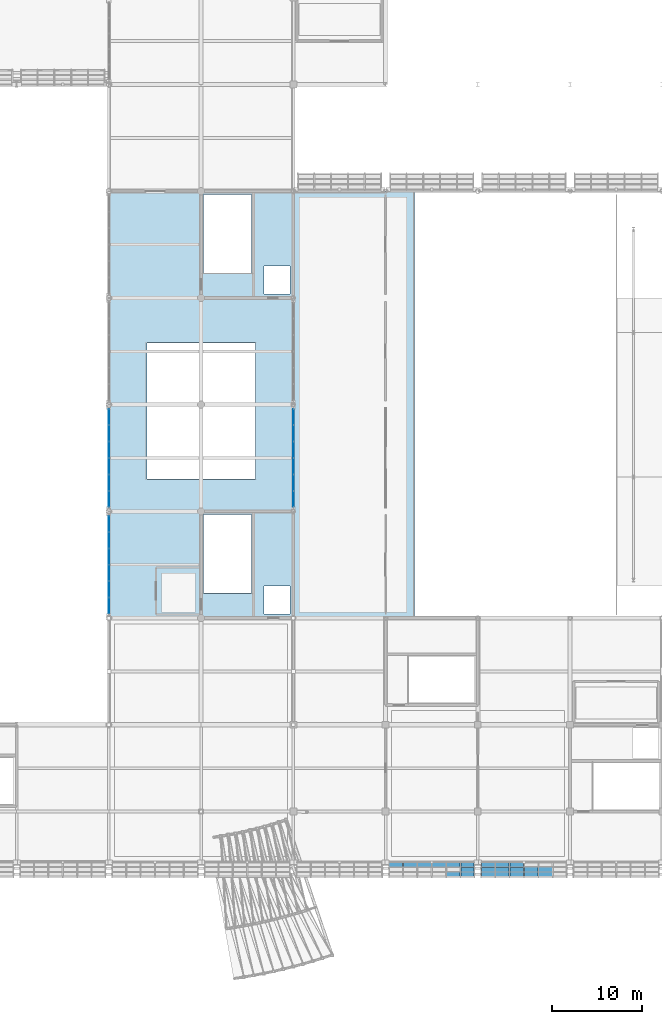
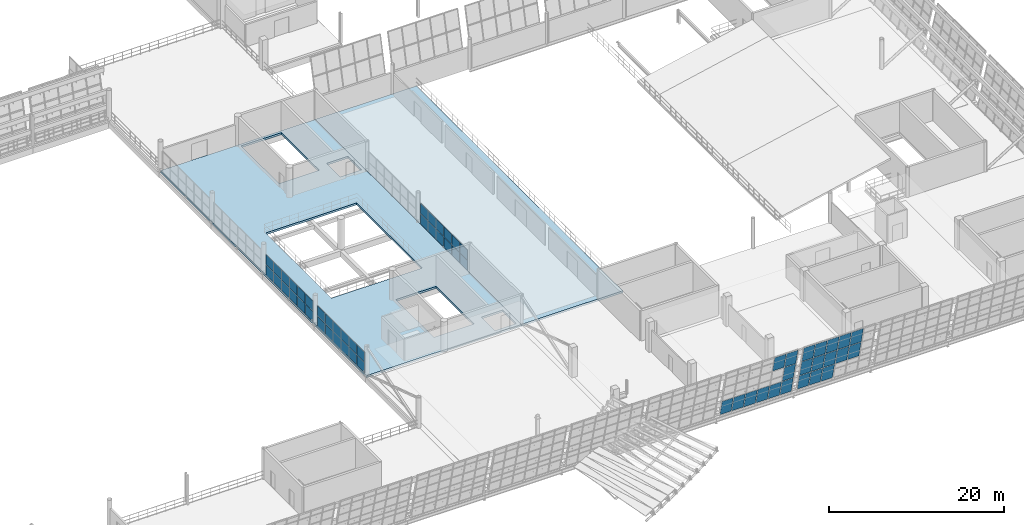
# One storey, part 112 of 157: 58 plates, 2 slabs, 5 elements without a shape of their own.
"""IFC4 building model written with IfcOpenShell, lengths in metres."""

import ifcopenshell
import ifcopenshell.guid

model = None  # the IFC model being written
_history = None  # IfcOwnerHistory: only IFC2X3 demands one
_inside = {}  # id of a spatial element -> (the spatial element, [elements in it])
_under = {}  # id of a project, library or spatial element -> (it, [spatial elements below it])
_declared = {}  # id of a project -> (the project, [libraries it declares])
_typed = {}  # id of a type object -> (the type object, [elements of that type])
_made_of = {}  # id of a material, layer set ... -> (it, [elements and type objects made of it])


def new_model(schema):
    """Start an empty IFC model of exactly this schema.

    Asked for "IFC4X3", IfcOpenShell would pick the latest addendum, in which some entities
    have other attributes; the version numbers below select the first issue.
    IFC2X3 requires an IfcOwnerHistory on every rooted entity: one is made here for all.
    """
    global model, _history
    if schema == "IFC4X3":
        model = ifcopenshell.file(schema_version=(4, 3, 0, 0))
    else:
        model = ifcopenshell.file(schema=schema)
    _inside.clear()
    _under.clear()
    _declared.clear()
    _typed.clear()
    _made_of.clear()
    _history = None
    if model.schema == "IFC2X3":
        org = make("IfcOrganization", Name="unknown")
        user = make(
            "IfcPersonAndOrganization",
            ThePerson=make("IfcPerson", FamilyName="unknown"),
            TheOrganization=org,
        )
        app = make(
            "IfcApplication",
            ApplicationDeveloper=org,
            Version="unknown",
            ApplicationFullName="unknown",
            ApplicationIdentifier="unknown",
        )
        _history = make(
            "IfcOwnerHistory",
            OwningUser=user,
            OwningApplication=app,
            ChangeAction="ADDED",
            CreationDate=0,
        )
    return model


def make(cls, **values):
    """One entity of the class cls with the attributes given. An attribute that is None is left unset."""
    return model.create_entity(
        cls, **{name: value for name, value in values.items() if value is not None}
    )


def rooted(cls, **values):
    """An entity with a GlobalId (a new one), such as an element, a storey or a relation."""
    return make(cls, GlobalId=ifcopenshell.guid.new(), OwnerHistory=_history, **values)


def si_unit(unit_type, name, prefix=None):
    """IfcSIUnit, for example si_unit("LENGTHUNIT", "METRE", prefix="MILLI")."""
    return make("IfcSIUnit", UnitType=unit_type, Prefix=prefix, Name=name)


def assignment(units):
    """IfcUnitAssignment: the units of a project."""
    return None if units is None else make("IfcUnitAssignment", Units=units)


def point(xyz):
    """IfcCartesianPoint."""
    return None if xyz is None else make("IfcCartesianPoint", Coordinates=xyz)


def direction(xyz):
    """IfcDirection."""
    return None if xyz is None else make("IfcDirection", DirectionRatios=xyz)


def frame(location, z_axis=None, x_axis=None):
    """IfcAxis2Placement3D, a coordinate frame: its origin and axes. An axis left out is left unset."""
    return make(
        "IfcAxis2Placement3D",
        Location=point(location),
        Axis=direction(z_axis),
        RefDirection=direction(x_axis),
    )


def frame_2d(location, x_axis=None):
    """IfcAxis2Placement2D, a coordinate frame in the plane: its origin and x axis."""
    return make(
        "IfcAxis2Placement2D", Location=point(location), RefDirection=direction(x_axis)
    )


def origin():
    """The frame at (0, 0, 0) with its axes left unset."""
    return frame((0.0, 0.0, 0.0))


def origin_2d():
    """The frame at (0, 0) in the plane with its x axis left unset."""
    return frame_2d((0.0, 0.0))


def place(relative_to, where):
    """IfcLocalPlacement: puts the frame where relative to a parent placement (None: the world)."""
    return make(
        "IfcLocalPlacement", PlacementRelTo=relative_to, RelativePlacement=where
    )


def context(
    kind, dimensions, precision=None, world=None, true_north=None, identifier=None
):
    """IfcGeometricRepresentationContext, for example the 3D "Model" context."""
    return make(
        "IfcGeometricRepresentationContext",
        ContextIdentifier=identifier,
        ContextType=kind,
        CoordinateSpaceDimension=dimensions,
        Precision=precision,
        WorldCoordinateSystem=world,
        TrueNorth=true_north,
    )


def subcontext(parent, identifier, kind, view, scale=None):
    """IfcGeometricRepresentationSubContext, for example "Body" below "Model"."""
    return make(
        "IfcGeometricRepresentationSubContext",
        ContextIdentifier=identifier,
        ContextType=kind,
        ParentContext=parent,
        TargetScale=scale,
        TargetView=view,
    )


def project(units=None, contexts=None):
    """IfcProject with its units and contexts."""
    return rooted(
        "IfcProject",
        Name="project",
        RepresentationContexts=contexts,
        UnitsInContext=assignment(units),
    )


def spatial(cls, under=None, at=None, **own):
    """A site, building, storey or space (cls), placed at a placement, below another one or the project."""
    s = rooted(cls, ObjectPlacement=at, **own)
    if under is not None:
        _under.setdefault(under.id(), (under, []))[1].append(s)
    return s


def polyline(points):
    """IfcPolyline through the points."""
    return make("IfcPolyline", Points=[point(p) for p in points])


def profile(cls, at=None, kind="AREA", **sizes):
    """A parametric profile (cls). Its sizes go by their IFC names, for example OverallWidth=200.0."""
    return make(cls, ProfileType=kind, Position=at, **sizes)


def rectangle(**sizes):
    """IfcRectangleProfileDef."""
    return profile("IfcRectangleProfileDef", **sizes)


def outline(outer, holes=None, kind="AREA"):
    """IfcArbitraryClosedProfileDef: a profile drawn as a closed curve; with holes, ...WithVoids."""
    if holes is None:
        return make("IfcArbitraryClosedProfileDef", ProfileType=kind, OuterCurve=outer)
    return make(
        "IfcArbitraryProfileDefWithVoids",
        ProfileType=kind,
        OuterCurve=outer,
        InnerCurves=holes,
    )


def extrude(swept, where, along, depth):
    """IfcExtrudedAreaSolid: the profile swept, set in the frame where, extruded along a direction by depth."""
    return make(
        "IfcExtrudedAreaSolid",
        SweptArea=swept,
        Position=where,
        ExtrudedDirection=direction(along),
        Depth=depth,
    )


def shape(context_of_items, identifier, shape_type, items):
    """IfcShapeRepresentation: the items that make up one representation, for example the "Body"."""
    return make(
        "IfcShapeRepresentation",
        ContextOfItems=context_of_items,
        RepresentationIdentifier=identifier,
        RepresentationType=shape_type,
        Items=items,
    )


def material(Name=None, Category=None):
    """IfcMaterial."""
    return make("IfcMaterial", Name=Name, Category=Category)


def layer(
    of_material, thickness, ventilated=None, Name=None, Category=None, Priority=None
):
    """IfcMaterialLayer: one layer of a wall or slab, of a material (None: an air gap)."""
    return make(
        "IfcMaterialLayer",
        Material=of_material,
        LayerThickness=thickness,
        IsVentilated=ventilated,
        Name=Name,
        Category=Category,
        Priority=Priority,
    )


def layer_set(layers, Name=None):
    """IfcMaterialLayerSet."""
    return make("IfcMaterialLayerSet", MaterialLayers=layers, LayerSetName=Name)


def made_of(thing, what):
    """Note that an element or type object is made of a material, layer set ...; save() writes the relation."""
    if what is not None:
        _made_of.setdefault(what.id(), (what, []))[1].append(thing)
    return thing


def type_object(cls, material=None, **own):
    """A type object (cls), such as IfcWallType, which elements share."""
    return made_of(rooted(cls, **own), material)


def element(
    cls,
    number,
    at=None,
    inside=None,
    cuts=None,
    type_object=None,
    material=None,
    context=None,
    identifier="Body",
    shape_type=None,
    held_by="IfcProductDefinitionShape",
    body=None,
    shapes=None,
    **own,
):
    """One element of the class cls, such as IfcWall. Its Tag is "e" and its number.

    at: its placement. inside: the storey or other place that contains it. cuts: it is an
    opening in that element (IfcRelVoidsElement). A single representation is given by context,
    identifier, shape_type and body (its items); several are given by shapes. held_by: the class
    of the entity that holds the representations. save() writes the other relations.
    """
    e = rooted(cls, Tag="e%d" % number, ObjectPlacement=at, **own)
    if body is not None:
        shapes = [shape(context, identifier, shape_type, body)]
    if shapes is not None:
        e.Representation = make(held_by, Representations=shapes)
    if inside is not None:
        _inside.setdefault(inside.id(), (inside, []))[1].append(e)
    if cuts is not None:
        rooted(
            "IfcRelVoidsElement", RelatingBuildingElement=cuts, RelatedOpeningElement=e
        )
    if type_object is not None:
        _typed.setdefault(type_object.id(), (type_object, []))[1].append(e)
    return made_of(e, material)


def aggregate(whole, parts):
    """IfcRelAggregates: a whole, such as a stair, and the parts it consists of."""
    return rooted("IfcRelAggregates", RelatingObject=whole, RelatedObjects=parts)


def save(model, path):
    """Write the relations noted so far, then the file.

    IfcRelAggregates (storeys below a building ...), IfcRelContainedInSpatialStructure (elements
    in a storey), IfcRelDefinesByType, IfcRelAssociatesMaterial and IfcRelDeclares: one each for
    every whole, place, type object, material and project.
    """
    for whole, parts in _under.values():
        aggregate(whole, parts)
    for where, things in _inside.values():
        rooted(
            "IfcRelContainedInSpatialStructure",
            RelatedElements=things,
            RelatingStructure=where,
        )
    for kind, things in _typed.values():
        rooted("IfcRelDefinesByType", RelatedObjects=things, RelatingType=kind)
    for what, things in _made_of.values():
        rooted("IfcRelAssociatesMaterial", RelatedObjects=things, RelatingMaterial=what)
    for by, libraries in _declared.values():
        rooted("IfcRelDeclares", RelatingContext=by, RelatedDefinitions=libraries)
    model.write(path)


model = new_model("IFC4")

# Units and contexts
model_context = context("Model", 3, precision=1e-05, world=origin(), true_north=direction((0.0, 1.0)))
body_context = subcontext(model_context, "Body", "Model", "MODEL_VIEW")
ifc_project = project(units=[si_unit("LENGTHUNIT", "METRE"), si_unit("AREAUNIT", "SQUARE_METRE"), si_unit("VOLUMEUNIT", "CUBIC_METRE"), si_unit("PLANEANGLEUNIT", "RADIAN"), si_unit("MASSUNIT", "GRAM", prefix="KILO")], contexts=[model_context])

# Site, building, storey
site_placement = place(None, origin())
site = spatial("IfcSite", under=ifc_project, at=site_placement, CompositionType="ELEMENT")
building_placement = place(site_placement, origin())
building = spatial("IfcBuilding", under=site, at=building_placement, Name="Brelvane Convention Centre", CompositionType="ELEMENT")
storey_placement = place(building_placement, frame((0.0, 0.0, 10.800048828125)))
storey = spatial("IfcBuildingStorey", under=building, at=storey_placement, Name="L02", CompositionType="ELEMENT", Elevation=10.800048828125)

# Curtain wall, plates
ifc_material_1 = material(Name="Anodised Aluminium Alloy 6063-T6", Category="aluminium")
curtain_wall_type_1 = type_object("IfcCurtainWallType", Name="Curtain Wall CW-CONC", PredefinedType="USERDEFINED", material=ifc_material_1)
curtain_wall_1_placement = place(storey_placement, origin())
curtain_wall_1 = element("IfcCurtainWall", 1, at=curtain_wall_1_placement, inside=storey, type_object=curtain_wall_type_1, Name="Curtain Wall CW-CONC L02-GAL-ATRIUM-W-1", ObjectType="UNITISED", PredefinedType="USERDEFINED")
ifc_material_2 = material(Name="Double Glazed Low-E Laminated Unit")
ifc_layer_1 = layer(ifc_material_2, 0.031982421875)
ifc_layer_set_1 = layer_set([ifc_layer_1], Name="Double Glazed Low-E Laminated Unit")
plate_type_1 = type_object("IfcPlateType", Name="Curtain Panel CW-PG1", PredefinedType="CURTAIN_PANEL", material=ifc_layer_set_1)
plate_1_placement = place(storey_placement, frame((142.800048828125, 41.974609375, 0.06005859375), z_axis=(0.0, 0.0, 1.0), x_axis=(0.0, 1.0, 0.0)))
plate_1 = element("IfcPlate", 2, at=plate_1_placement, type_object=plate_type_1, Name="CW-CONC panel 1.1", PredefinedType="CURTAIN_PANEL", context=body_context, shape_type="SweptSolid", body=[
    extrude(rectangle(XDim=1.71923828125, YDim=0.031982421875, at=origin_2d()), origin(), (0.0, 0.0, 1.0), 1.409912109375),
])
plate_2_placement = place(storey_placement, frame((142.800048828125, 41.974609375, 1.52978515625), z_axis=(0.0, 0.0, 1.0), x_axis=(0.0, 1.0, 0.0)))
plate_2 = element("IfcPlate", 3, at=plate_2_placement, type_object=plate_type_1, Name="CW-CONC panel 1.2", PredefinedType="CURTAIN_PANEL", context=body_context, shape_type="SweptSolid", body=[
    extrude(rectangle(XDim=1.71923828125, YDim=0.031982421875, at=origin_2d()), origin(), (0.0, 0.0, 1.0), 1.409912109375),
])
plate_3_placement = place(storey_placement, frame((142.800048828125, 43.77490234375, 0.06005859375), z_axis=(0.0, 0.0, 1.0), x_axis=(0.0, 1.0, 0.0)))
plate_3 = element("IfcPlate", 4, at=plate_3_placement, type_object=plate_type_1, Name="CW-CONC panel 2.1", PredefinedType="CURTAIN_PANEL", context=body_context, shape_type="SweptSolid", body=[
    extrude(rectangle(XDim=1.751708984375, YDim=0.031982421875, at=origin_2d()), origin(), (0.0, 0.0, 1.0), 1.409912109375),
])
plate_4_placement = place(storey_placement, frame((142.800048828125, 43.77490234375, 1.52978515625), z_axis=(0.0, 0.0, 1.0), x_axis=(0.0, 1.0, 0.0)))
plate_4 = element("IfcPlate", 5, at=plate_4_placement, type_object=plate_type_1, Name="CW-CONC panel 2.2", PredefinedType="CURTAIN_PANEL", context=body_context, shape_type="SweptSolid", body=[
    extrude(rectangle(XDim=1.751708984375, YDim=0.031982421875, at=origin_2d()), origin(), (0.0, 0.0, 1.0), 1.409912109375),
])
plate_5_placement = place(storey_placement, frame((142.800048828125, 45.591552734375, 0.06005859375), z_axis=(0.0, 0.0, 1.0), x_axis=(0.0, 1.0, 0.0)))
plate_5 = element("IfcPlate", 6, at=plate_5_placement, type_object=plate_type_1, Name="CW-CONC panel 3.1", PredefinedType="CURTAIN_PANEL", context=body_context, shape_type="SweptSolid", body=[
    extrude(rectangle(XDim=1.751708984375, YDim=0.031982421875, at=origin_2d()), origin(), (0.0, 0.0, 1.0), 1.409912109375),
])
plate_6_placement = place(storey_placement, frame((142.800048828125, 45.591552734375, 1.52978515625), z_axis=(0.0, 0.0, 1.0), x_axis=(0.0, 1.0, 0.0)))
plate_6 = element("IfcPlate", 7, at=plate_6_placement, type_object=plate_type_1, Name="CW-CONC panel 3.2", PredefinedType="CURTAIN_PANEL", context=body_context, shape_type="SweptSolid", body=[
    extrude(rectangle(XDim=1.751708984375, YDim=0.031982421875, at=origin_2d()), origin(), (0.0, 0.0, 1.0), 1.409912109375),
])
plate_7_placement = place(storey_placement, frame((142.800048828125, 47.408447265625, 0.06005859375), z_axis=(0.0, 0.0, 1.0), x_axis=(0.0, 1.0, 0.0)))
plate_7 = element("IfcPlate", 8, at=plate_7_placement, type_object=plate_type_1, Name="CW-CONC panel 4.1", PredefinedType="CURTAIN_PANEL", context=body_context, shape_type="SweptSolid", body=[
    extrude(rectangle(XDim=1.751708984375, YDim=0.031982421875, at=origin_2d()), origin(), (0.0, 0.0, 1.0), 1.409912109375),
])
plate_8_placement = place(storey_placement, frame((142.800048828125, 47.408447265625, 1.52978515625), z_axis=(0.0, 0.0, 1.0), x_axis=(0.0, 1.0, 0.0)))
plate_8 = element("IfcPlate", 9, at=plate_8_placement, type_object=plate_type_1, Name="CW-CONC panel 4.2", PredefinedType="CURTAIN_PANEL", context=body_context, shape_type="SweptSolid", body=[
    extrude(rectangle(XDim=1.751708984375, YDim=0.031982421875, at=origin_2d()), origin(), (0.0, 0.0, 1.0), 1.409912109375),
])
plate_9_placement = place(storey_placement, frame((142.800048828125, 49.22509765625, 0.06005859375), z_axis=(0.0, 0.0, 1.0), x_axis=(0.0, 1.0, 0.0)))
plate_9 = element("IfcPlate", 10, at=plate_9_placement, type_object=plate_type_1, Name="CW-CONC panel 5.1", PredefinedType="CURTAIN_PANEL", context=body_context, shape_type="SweptSolid", body=[
    extrude(rectangle(XDim=1.751708984375, YDim=0.031982421875, at=origin_2d()), origin(), (0.0, 0.0, 1.0), 1.409912109375),
])
plate_10_placement = place(storey_placement, frame((142.800048828125, 49.22509765625, 1.52978515625), z_axis=(0.0, 0.0, 1.0), x_axis=(0.0, 1.0, 0.0)))
plate_10 = element("IfcPlate", 11, at=plate_10_placement, type_object=plate_type_1, Name="CW-CONC panel 5.2", PredefinedType="CURTAIN_PANEL", context=body_context, shape_type="SweptSolid", body=[
    extrude(rectangle(XDim=1.751708984375, YDim=0.031982421875, at=origin_2d()), origin(), (0.0, 0.0, 1.0), 1.409912109375),
])
plate_11_placement = place(storey_placement, frame((142.800048828125, 51.025390625, 0.06005859375), z_axis=(0.0, 0.0, 1.0), x_axis=(0.0, 1.0, 0.0)))
plate_11 = element("IfcPlate", 12, at=plate_11_placement, type_object=plate_type_1, Name="CW-CONC panel 6.1", PredefinedType="CURTAIN_PANEL", context=body_context, shape_type="SweptSolid", body=[
    extrude(rectangle(XDim=1.71923828125, YDim=0.031982421875, at=origin_2d()), origin(), (0.0, 0.0, 1.0), 1.409912109375),
])
plate_12_placement = place(storey_placement, frame((142.800048828125, 51.025390625, 1.52978515625), z_axis=(0.0, 0.0, 1.0), x_axis=(0.0, 1.0, 0.0)))
plate_12 = element("IfcPlate", 13, at=plate_12_placement, type_object=plate_type_1, Name="CW-CONC panel 6.2", PredefinedType="CURTAIN_PANEL", context=body_context, shape_type="SweptSolid", body=[
    extrude(rectangle(XDim=1.71923828125, YDim=0.031982421875, at=origin_2d()), origin(), (0.0, 0.0, 1.0), 1.409912109375),
])
aggregate(curtain_wall_1, [plate_1, plate_2, plate_3, plate_4, plate_5, plate_6, plate_7, plate_8, plate_9, plate_10, plate_11, plate_12])

curtain_wall_2_placement = place(storey_placement, origin())
curtain_wall_2 = element("IfcCurtainWall", 14, at=curtain_wall_2_placement, inside=storey, type_object=curtain_wall_type_1, Name="Curtain Wall CW-CONC L02-GAL-ATRIUM-W-2", ObjectType="UNITISED", PredefinedType="USERDEFINED")
plate_13_placement = place(storey_placement, frame((142.800048828125, 53.774658203125, 0.06005859375), z_axis=(0.0, 0.0, 1.0), x_axis=(0.0, 1.0, 0.0)))
plate_13 = element("IfcPlate", 15, at=plate_13_placement, type_object=plate_type_1, Name="CW-CONC panel 1.1", PredefinedType="CURTAIN_PANEL", context=body_context, shape_type="SweptSolid", body=[
    extrude(rectangle(XDim=1.71923828125, YDim=0.031982421875, at=origin_2d()), origin(), (0.0, 0.0, 1.0), 1.409912109375),
])
plate_14_placement = place(storey_placement, frame((142.800048828125, 53.774658203125, 1.52978515625), z_axis=(0.0, 0.0, 1.0), x_axis=(0.0, 1.0, 0.0)))
plate_14 = element("IfcPlate", 16, at=plate_14_placement, type_object=plate_type_1, Name="CW-CONC panel 1.2", PredefinedType="CURTAIN_PANEL", context=body_context, shape_type="SweptSolid", body=[
    extrude(rectangle(XDim=1.71923828125, YDim=0.031982421875, at=origin_2d()), origin(), (0.0, 0.0, 1.0), 1.409912109375),
])
plate_15_placement = place(storey_placement, frame((142.800048828125, 55.574951171875, 0.06005859375), z_axis=(0.0, 0.0, 1.0), x_axis=(0.0, 1.0, 0.0)))
plate_15 = element("IfcPlate", 17, at=plate_15_placement, type_object=plate_type_1, Name="CW-CONC panel 2.1", PredefinedType="CURTAIN_PANEL", context=body_context, shape_type="SweptSolid", body=[
    extrude(rectangle(XDim=1.751708984375, YDim=0.031982421875, at=origin_2d()), origin(), (0.0, 0.0, 1.0), 1.409912109375),
])
plate_16_placement = place(storey_placement, frame((142.800048828125, 55.574951171875, 1.52978515625), z_axis=(0.0, 0.0, 1.0), x_axis=(0.0, 1.0, 0.0)))
plate_16 = element("IfcPlate", 18, at=plate_16_placement, type_object=plate_type_1, Name="CW-CONC panel 2.2", PredefinedType="CURTAIN_PANEL", context=body_context, shape_type="SweptSolid", body=[
    extrude(rectangle(XDim=1.751708984375, YDim=0.031982421875, at=origin_2d()), origin(), (0.0, 0.0, 1.0), 1.409912109375),
])
plate_17_placement = place(storey_placement, frame((142.800048828125, 57.3916015625, 0.06005859375), z_axis=(0.0, 0.0, 1.0), x_axis=(0.0, 1.0, 0.0)))
plate_17 = element("IfcPlate", 19, at=plate_17_placement, type_object=plate_type_1, Name="CW-CONC panel 3.1", PredefinedType="CURTAIN_PANEL", context=body_context, shape_type="SweptSolid", body=[
    extrude(rectangle(XDim=1.751708984375, YDim=0.031982421875, at=origin_2d()), origin(), (0.0, 0.0, 1.0), 1.409912109375),
])
plate_18_placement = place(storey_placement, frame((142.800048828125, 57.3916015625, 1.52978515625), z_axis=(0.0, 0.0, 1.0), x_axis=(0.0, 1.0, 0.0)))
plate_18 = element("IfcPlate", 20, at=plate_18_placement, type_object=plate_type_1, Name="CW-CONC panel 3.2", PredefinedType="CURTAIN_PANEL", context=body_context, shape_type="SweptSolid", body=[
    extrude(rectangle(XDim=1.751708984375, YDim=0.031982421875, at=origin_2d()), origin(), (0.0, 0.0, 1.0), 1.409912109375),
])
plate_19_placement = place(storey_placement, frame((142.800048828125, 59.208251953125, 0.06005859375), z_axis=(0.0, 0.0, 1.0), x_axis=(0.0, 1.0, 0.0)))
plate_19 = element("IfcPlate", 21, at=plate_19_placement, type_object=plate_type_1, Name="CW-CONC panel 4.1", PredefinedType="CURTAIN_PANEL", context=body_context, shape_type="SweptSolid", body=[
    extrude(rectangle(XDim=1.751708984375, YDim=0.031982421875, at=origin_2d()), origin(), (0.0, 0.0, 1.0), 1.409912109375),
])
plate_20_placement = place(storey_placement, frame((142.800048828125, 59.208251953125, 1.52978515625), z_axis=(0.0, 0.0, 1.0), x_axis=(0.0, 1.0, 0.0)))
plate_20 = element("IfcPlate", 22, at=plate_20_placement, type_object=plate_type_1, Name="CW-CONC panel 4.2", PredefinedType="CURTAIN_PANEL", context=body_context, shape_type="SweptSolid", body=[
    extrude(rectangle(XDim=1.751708984375, YDim=0.031982421875, at=origin_2d()), origin(), (0.0, 0.0, 1.0), 1.409912109375),
])
plate_21_placement = place(storey_placement, frame((142.800048828125, 61.02490234375, 0.06005859375), z_axis=(0.0, 0.0, 1.0), x_axis=(0.0, 1.0, 0.0)))
plate_21 = element("IfcPlate", 23, at=plate_21_placement, type_object=plate_type_1, Name="CW-CONC panel 5.1", PredefinedType="CURTAIN_PANEL", context=body_context, shape_type="SweptSolid", body=[
    extrude(rectangle(XDim=1.751708984375, YDim=0.031982421875, at=origin_2d()), origin(), (0.0, 0.0, 1.0), 1.409912109375),
])
plate_22_placement = place(storey_placement, frame((142.800048828125, 61.02490234375, 1.52978515625), z_axis=(0.0, 0.0, 1.0), x_axis=(0.0, 1.0, 0.0)))
plate_22 = element("IfcPlate", 24, at=plate_22_placement, type_object=plate_type_1, Name="CW-CONC panel 5.2", PredefinedType="CURTAIN_PANEL", context=body_context, shape_type="SweptSolid", body=[
    extrude(rectangle(XDim=1.751708984375, YDim=0.031982421875, at=origin_2d()), origin(), (0.0, 0.0, 1.0), 1.409912109375),
])
plate_23_placement = place(storey_placement, frame((142.800048828125, 62.825439453125, 0.06005859375), z_axis=(0.0, 0.0, 1.0), x_axis=(0.0, 1.0, 0.0)))
plate_23 = element("IfcPlate", 25, at=plate_23_placement, type_object=plate_type_1, Name="CW-CONC panel 6.1", PredefinedType="CURTAIN_PANEL", context=body_context, shape_type="SweptSolid", body=[
    extrude(rectangle(XDim=1.71923828125, YDim=0.031982421875, at=origin_2d()), origin(), (0.0, 0.0, 1.0), 1.409912109375),
])
plate_24_placement = place(storey_placement, frame((142.800048828125, 62.825439453125, 1.52978515625), z_axis=(0.0, 0.0, 1.0), x_axis=(0.0, 1.0, 0.0)))
plate_24 = element("IfcPlate", 26, at=plate_24_placement, type_object=plate_type_1, Name="CW-CONC panel 6.2", PredefinedType="CURTAIN_PANEL", context=body_context, shape_type="SweptSolid", body=[
    extrude(rectangle(XDim=1.71923828125, YDim=0.031982421875, at=origin_2d()), origin(), (0.0, 0.0, 1.0), 1.409912109375),
])
aggregate(curtain_wall_2, [plate_13, plate_14, plate_15, plate_16, plate_17, plate_18, plate_19, plate_20, plate_21, plate_22, plate_23, plate_24])

ifc_material_3 = material(Name="Anodised Aluminium Alloy 6063-T6", Category="aluminium")
curtain_wall_type_2 = type_object("IfcCurtainWallType", Name="Curtain Wall CW-HULL-S", PredefinedType="USERDEFINED", material=ifc_material_3)
curtain_wall_3_placement = place(storey_placement, origin())
curtain_wall_3 = element("IfcCurtainWall", 27, at=curtain_wall_3_placement, inside=storey, type_object=curtain_wall_type_2, Name="Curtain Wall CW-HULL-S L02-HULL-S-L02-18", ObjectType="UNITISED", PredefinedType="USERDEFINED")
ifc_material_4 = material(Name="Double Glazed Low-E Laminated Unit")
ifc_layer_2 = layer(ifc_material_4, 0.0380859375)
ifc_layer_set_2 = layer_set([ifc_layer_2], Name="Double Glazed Low-E Laminated Unit")
plate_type_2 = type_object("IfcPlateType", Name="Curtain Panel CW-PG2", PredefinedType="CURTAIN_PANEL", material=ifc_layer_set_2)
plate_25_placement = place(storey_placement, frame((180.13330078125, 12.51953125, 4.606689453125), z_axis=(0.0, 0.973586933466, 0.228316628794), x_axis=(1.0, 0.0, 0.0)))
plate_25 = element("IfcPlate", 28, at=plate_25_placement, type_object=plate_type_2, Name="CW-HULL-S panel 5.3", PredefinedType="CURTAIN_PANEL", context=body_context, shape_type="SweptSolid", body=[
    extrude(outline(polyline([(0.0, 0.0), (1.513427734375, 0.0), (1.513427734375, -2.2220204521674902), (0.0, -2.2220204521674902), (0.0, 0.0)])), origin(), (0.0, 0.0, -1.0), 0.0380859375),
])
plate_26_placement = place(storey_placement, frame((181.7265625, 13.05517578125, 2.3232421875), z_axis=(0.0, 0.973573977576, 0.228371868203), x_axis=(1.0, 0.0, 0.0)))
plate_26 = element("IfcPlate", 29, at=plate_26_placement, type_object=plate_type_2, Name="CW-HULL-S panel 6.2", PredefinedType="CURTAIN_PANEL", context=body_context, shape_type="SweptSolid", body=[
    extrude(outline(polyline([(0.0, 0.0), (1.473388671875, 0.0), (1.473388671875, -2.2631758771022032), (0.0, -2.2631758771022032), (0.0, 0.0)])), origin(), (0.0, 0.0, -1.0), 0.0380859375),
])
plate_27_placement = place(storey_placement, frame((181.7265625, 12.51953125, 4.606689453125), z_axis=(0.0, 0.973586933466, 0.228316628794), x_axis=(1.0, 0.0, 0.0)))
plate_27 = element("IfcPlate", 30, at=plate_27_placement, type_object=plate_type_2, Name="CW-HULL-S panel 6.3", PredefinedType="CURTAIN_PANEL", context=body_context, shape_type="SweptSolid", body=[
    extrude(outline(polyline([(0.0, 0.0), (1.473388671875, 0.0), (1.473388671875, -2.2220204521674902), (0.0, -2.2220204521674902), (0.0, 0.0)])), origin(), (0.0, 0.0, -1.0), 0.0380859375),
])

curtain_wall_4_placement = place(storey_placement, origin())
curtain_wall_4 = element("IfcCurtainWall", 31, at=curtain_wall_4_placement, inside=storey, type_object=curtain_wall_type_2, Name="Curtain Wall CW-HULL-S L02-HULL-S-L02-19", ObjectType="UNITISED", PredefinedType="USERDEFINED")
plate_28_placement = place(storey_placement, frame((184.0, 13.05517578125, 2.3232421875), z_axis=(0.0, 0.973573977576, 0.228371868203), x_axis=(1.0, 0.0, 0.0)))
plate_28 = element("IfcPlate", 32, at=plate_28_placement, type_object=plate_type_2, Name="CW-HULL-S panel 1.2", PredefinedType="CURTAIN_PANEL", context=body_context, shape_type="SweptSolid", body=[
    extrude(outline(polyline([(0.0, 0.0), (1.473388671875, 0.0), (1.473388671875, -2.2631758771022032), (0.0, -2.2631758771022032), (0.0, 0.0)])), origin(), (0.0, 0.0, -1.0), 0.0380859375),
])
plate_29_placement = place(storey_placement, frame((184.0, 12.51953125, 4.606689453125), z_axis=(0.0, 0.973586933466, 0.228316628794), x_axis=(1.0, 0.0, 0.0)))
plate_29 = element("IfcPlate", 33, at=plate_29_placement, type_object=plate_type_2, Name="CW-HULL-S panel 1.3", PredefinedType="CURTAIN_PANEL", context=body_context, shape_type="SweptSolid", body=[
    extrude(outline(polyline([(0.0, 0.0), (1.473388671875, 0.0), (1.473388671875, -2.2220204521674902), (0.0, -2.2220204521674902), (0.0, 0.0)])), origin(), (0.0, 0.0, -1.0), 0.0380859375),
])
plate_30_placement = place(storey_placement, frame((185.55322265625, 13.05517578125, 2.3232421875), z_axis=(0.0, 0.973573977576, 0.228371868203), x_axis=(1.0, 0.0, 0.0)))
plate_30 = element("IfcPlate", 34, at=plate_30_placement, type_object=plate_type_2, Name="CW-HULL-S panel 2.2", PredefinedType="CURTAIN_PANEL", context=body_context, shape_type="SweptSolid", body=[
    extrude(outline(polyline([(0.0, 0.0), (1.513427734375, 0.0), (1.513427734375, -2.2631758771022032), (0.0, -2.2631758771022032), (0.0, 0.0)])), origin(), (0.0, 0.0, -1.0), 0.0380859375),
])
plate_31_placement = place(storey_placement, frame((185.55322265625, 12.51953125, 4.606689453125), z_axis=(0.0, 0.973586933466, 0.228316628794), x_axis=(1.0, 0.0, 0.0)))
plate_31 = element("IfcPlate", 35, at=plate_31_placement, type_object=plate_type_2, Name="CW-HULL-S panel 2.3", PredefinedType="CURTAIN_PANEL", context=body_context, shape_type="SweptSolid", body=[
    extrude(outline(polyline([(0.0, 0.0), (1.513427734375, 0.0), (1.513427734375, -2.2220204521674902), (0.0, -2.2220204521674902), (0.0, 0.0)])), origin(), (0.0, 0.0, -1.0), 0.0380859375),
])
plate_32_placement = place(storey_placement, frame((187.146728515625, 13.05517578125, 2.3232421875), z_axis=(0.0, 0.973573977576, 0.228371868203), x_axis=(1.0, 0.0, 0.0)))
plate_32 = element("IfcPlate", 36, at=plate_32_placement, type_object=plate_type_2, Name="CW-HULL-S panel 3.2", PredefinedType="CURTAIN_PANEL", context=body_context, shape_type="SweptSolid", body=[
    extrude(outline(polyline([(0.0, 0.0), (1.51318359375, 0.0), (1.51318359375, -2.2631758771022032), (0.0, -2.2631758771022032), (0.0, 0.0)])), origin(), (0.0, 0.0, -1.0), 0.0380859375),
])
plate_33_placement = place(storey_placement, frame((187.146728515625, 12.51953125, 4.606689453125), z_axis=(0.0, 0.973586933466, 0.228316628794), x_axis=(1.0, 0.0, 0.0)))
plate_33 = element("IfcPlate", 37, at=plate_33_placement, type_object=plate_type_2, Name="CW-HULL-S panel 3.3", PredefinedType="CURTAIN_PANEL", context=body_context, shape_type="SweptSolid", body=[
    extrude(outline(polyline([(0.0, 0.0), (1.51318359375, 0.0), (1.51318359375, -2.2220204521674902), (0.0, -2.2220204521674902), (0.0, 0.0)])), origin(), (0.0, 0.0, -1.0), 0.0380859375),
])
plate_34_placement = place(storey_placement, frame((188.739990234375, 13.05517578125, 2.3232421875), z_axis=(0.0, 0.973573977576, 0.228371868203), x_axis=(1.0, 0.0, 0.0)))
plate_34 = element("IfcPlate", 38, at=plate_34_placement, type_object=plate_type_2, Name="CW-HULL-S panel 4.2", PredefinedType="CURTAIN_PANEL", context=body_context, shape_type="SweptSolid", body=[
    extrude(outline(polyline([(0.0, 0.0), (1.513427734375, 0.0), (1.513427734375, -2.2631758771022032), (0.0, -2.2631758771022032), (0.0, 0.0)])), origin(), (0.0, 0.0, -1.0), 0.0380859375),
])
plate_35_placement = place(storey_placement, frame((188.739990234375, 12.51953125, 4.606689453125), z_axis=(0.0, 0.973586933466, 0.228316628794), x_axis=(1.0, 0.0, 0.0)))
plate_35 = element("IfcPlate", 39, at=plate_35_placement, type_object=plate_type_2, Name="CW-HULL-S panel 4.3", PredefinedType="CURTAIN_PANEL", context=body_context, shape_type="SweptSolid", body=[
    extrude(outline(polyline([(0.0, 0.0), (1.513427734375, 0.0), (1.513427734375, -2.2220204521674902), (0.0, -2.2220204521674902), (0.0, 0.0)])), origin(), (0.0, 0.0, -1.0), 0.0380859375),
])
plate_36_placement = place(storey_placement, frame((190.333251953125, 13.05517578125, 2.3232421875), z_axis=(0.0, 0.973573977576, 0.228371868203), x_axis=(1.0, 0.0, 0.0)))
plate_36 = element("IfcPlate", 40, at=plate_36_placement, type_object=plate_type_2, Name="CW-HULL-S panel 5.2", PredefinedType="CURTAIN_PANEL", context=body_context, shape_type="SweptSolid", body=[
    extrude(outline(polyline([(0.0, 0.0), (1.513427734375, 0.0), (1.513427734375, -2.2631758771022032), (0.0, -2.2631758771022032), (0.0, 0.0)])), origin(), (0.0, 0.0, -1.0), 0.0380859375),
])
plate_37_placement = place(storey_placement, frame((190.333251953125, 12.51953125, 4.606689453125), z_axis=(0.0, 0.973586933466, 0.228316628794), x_axis=(1.0, 0.0, 0.0)))
plate_37 = element("IfcPlate", 41, at=plate_37_placement, type_object=plate_type_2, Name="CW-HULL-S panel 5.3", PredefinedType="CURTAIN_PANEL", context=body_context, shape_type="SweptSolid", body=[
    extrude(outline(polyline([(0.0, 0.0), (1.513427734375, 0.0), (1.513427734375, -2.2220204521674902), (0.0, -2.2220204521674902), (0.0, 0.0)])), origin(), (0.0, 0.0, -1.0), 0.0380859375),
])

curtain_wall_5_placement = place(storey_placement, origin())
curtain_wall_5 = element("IfcCurtainWall", 42, at=curtain_wall_5_placement, inside=storey, type_object=curtain_wall_type_1, Name="Curtain Wall CW-CONC L02-GAL-ATRIUM-E-2", ObjectType="UNITISED", PredefinedType="USERDEFINED")
plate_38_placement = place(storey_placement, frame((163.199951171875, 53.774658203125, 0.06005859375), z_axis=(0.0, 0.0, 1.0), x_axis=(0.0, 1.0, 0.0)))
plate_38 = element("IfcPlate", 43, at=plate_38_placement, type_object=plate_type_2, Name="CW-CONC panel 1.1", PredefinedType="CURTAIN_PANEL", context=body_context, shape_type="SweptSolid", body=[
    extrude(rectangle(XDim=1.71923828125, YDim=0.0380859375, at=origin_2d()), origin(), (0.0, 0.0, 1.0), 1.409912109375),
])
plate_39_placement = place(storey_placement, frame((163.199951171875, 53.774658203125, 1.52978515625), z_axis=(0.0, 0.0, 1.0), x_axis=(0.0, 1.0, 0.0)))
plate_39 = element("IfcPlate", 44, at=plate_39_placement, type_object=plate_type_2, Name="CW-CONC panel 1.2", PredefinedType="CURTAIN_PANEL", context=body_context, shape_type="SweptSolid", body=[
    extrude(rectangle(XDim=1.71923828125, YDim=0.0380859375, at=origin_2d()), origin(), (0.0, 0.0, 1.0), 1.409912109375),
])
plate_40_placement = place(storey_placement, frame((163.199951171875, 55.574951171875, 0.06005859375), z_axis=(0.0, 0.0, 1.0), x_axis=(0.0, 1.0, 0.0)))
plate_40 = element("IfcPlate", 45, at=plate_40_placement, type_object=plate_type_2, Name="CW-CONC panel 2.1", PredefinedType="CURTAIN_PANEL", context=body_context, shape_type="SweptSolid", body=[
    extrude(rectangle(XDim=1.751708984375, YDim=0.0380859375, at=origin_2d()), origin(), (0.0, 0.0, 1.0), 1.409912109375),
])
plate_41_placement = place(storey_placement, frame((163.199951171875, 55.574951171875, 1.52978515625), z_axis=(0.0, 0.0, 1.0), x_axis=(0.0, 1.0, 0.0)))
plate_41 = element("IfcPlate", 46, at=plate_41_placement, type_object=plate_type_2, Name="CW-CONC panel 2.2", PredefinedType="CURTAIN_PANEL", context=body_context, shape_type="SweptSolid", body=[
    extrude(rectangle(XDim=1.751708984375, YDim=0.0380859375, at=origin_2d()), origin(), (0.0, 0.0, 1.0), 1.409912109375),
])
plate_42_placement = place(storey_placement, frame((163.199951171875, 57.3916015625, 0.06005859375), z_axis=(0.0, 0.0, 1.0), x_axis=(0.0, 1.0, 0.0)))
plate_42 = element("IfcPlate", 47, at=plate_42_placement, type_object=plate_type_2, Name="CW-CONC panel 3.1", PredefinedType="CURTAIN_PANEL", context=body_context, shape_type="SweptSolid", body=[
    extrude(rectangle(XDim=1.751708984375, YDim=0.0380859375, at=origin_2d()), origin(), (0.0, 0.0, 1.0), 1.409912109375),
])
plate_43_placement = place(storey_placement, frame((163.199951171875, 57.3916015625, 1.52978515625), z_axis=(0.0, 0.0, 1.0), x_axis=(0.0, 1.0, 0.0)))
plate_43 = element("IfcPlate", 48, at=plate_43_placement, type_object=plate_type_2, Name="CW-CONC panel 3.2", PredefinedType="CURTAIN_PANEL", context=body_context, shape_type="SweptSolid", body=[
    extrude(rectangle(XDim=1.751708984375, YDim=0.0380859375, at=origin_2d()), origin(), (0.0, 0.0, 1.0), 1.409912109375),
])
plate_44_placement = place(storey_placement, frame((163.199951171875, 59.208251953125, 0.06005859375), z_axis=(0.0, 0.0, 1.0), x_axis=(0.0, 1.0, 0.0)))
plate_44 = element("IfcPlate", 49, at=plate_44_placement, type_object=plate_type_2, Name="CW-CONC panel 4.1", PredefinedType="CURTAIN_PANEL", context=body_context, shape_type="SweptSolid", body=[
    extrude(rectangle(XDim=1.751708984375, YDim=0.0380859375, at=origin_2d()), origin(), (0.0, 0.0, 1.0), 1.409912109375),
])
plate_45_placement = place(storey_placement, frame((163.199951171875, 59.208251953125, 1.52978515625), z_axis=(0.0, 0.0, 1.0), x_axis=(0.0, 1.0, 0.0)))
plate_45 = element("IfcPlate", 50, at=plate_45_placement, type_object=plate_type_2, Name="CW-CONC panel 4.2", PredefinedType="CURTAIN_PANEL", context=body_context, shape_type="SweptSolid", body=[
    extrude(rectangle(XDim=1.751708984375, YDim=0.0380859375, at=origin_2d()), origin(), (0.0, 0.0, 1.0), 1.409912109375),
])
plate_46_placement = place(storey_placement, frame((163.199951171875, 61.02490234375, 0.06005859375), z_axis=(0.0, 0.0, 1.0), x_axis=(0.0, 1.0, 0.0)))
plate_46 = element("IfcPlate", 51, at=plate_46_placement, type_object=plate_type_2, Name="CW-CONC panel 5.1", PredefinedType="CURTAIN_PANEL", context=body_context, shape_type="SweptSolid", body=[
    extrude(rectangle(XDim=1.751708984375, YDim=0.0380859375, at=origin_2d()), origin(), (0.0, 0.0, 1.0), 1.409912109375),
])
plate_47_placement = place(storey_placement, frame((163.199951171875, 61.02490234375, 1.52978515625), z_axis=(0.0, 0.0, 1.0), x_axis=(0.0, 1.0, 0.0)))
plate_47 = element("IfcPlate", 52, at=plate_47_placement, type_object=plate_type_2, Name="CW-CONC panel 5.2", PredefinedType="CURTAIN_PANEL", context=body_context, shape_type="SweptSolid", body=[
    extrude(rectangle(XDim=1.751708984375, YDim=0.0380859375, at=origin_2d()), origin(), (0.0, 0.0, 1.0), 1.409912109375),
])
plate_48_placement = place(storey_placement, frame((163.199951171875, 62.825439453125, 0.06005859375), z_axis=(0.0, 0.0, 1.0), x_axis=(0.0, 1.0, 0.0)))
plate_48 = element("IfcPlate", 53, at=plate_48_placement, type_object=plate_type_2, Name="CW-CONC panel 6.1", PredefinedType="CURTAIN_PANEL", context=body_context, shape_type="SweptSolid", body=[
    extrude(rectangle(XDim=1.71923828125, YDim=0.0380859375, at=origin_2d()), origin(), (0.0, 0.0, 1.0), 1.409912109375),
])
plate_49_placement = place(storey_placement, frame((163.199951171875, 62.825439453125, 1.52978515625), z_axis=(0.0, 0.0, 1.0), x_axis=(0.0, 1.0, 0.0)))
plate_49 = element("IfcPlate", 54, at=plate_49_placement, type_object=plate_type_2, Name="CW-CONC panel 6.2", PredefinedType="CURTAIN_PANEL", context=body_context, shape_type="SweptSolid", body=[
    extrude(rectangle(XDim=1.71923828125, YDim=0.0380859375, at=origin_2d()), origin(), (0.0, 0.0, 1.0), 1.409912109375),
])
aggregate(curtain_wall_5, [plate_38, plate_39, plate_40, plate_41, plate_42, plate_43, plate_44, plate_45, plate_46, plate_47, plate_48, plate_49])

# Plate
ifc_material_5 = material(Name="Patinated Copper-Bronze Alloy C22000")
ifc_layer_3 = layer(ifc_material_5, 0.055908203125)
ifc_layer_set_3 = layer_set([ifc_layer_3], Name="Patinated Copper-Bronze Alloy C22000")
plate_type_3 = type_object("IfcPlateType", Name="Curtain Panel CW-PS2", PredefinedType="CURTAIN_PANEL", material=ifc_layer_set_3)
plate_50_placement = place(storey_placement, frame((173.800048828125, 13.581298828125, 0.079833984375), z_axis=(0.0, 0.973562505213, 0.228420770606), x_axis=(1.0, 0.0, 0.0)))
plate_50 = element("IfcPlate", 55, at=plate_50_placement, type_object=plate_type_3, Name="CW-HULL-S panel 1.1", PredefinedType="CURTAIN_PANEL", context=body_context, shape_type="SweptSolid", body=[
    extrude(outline(polyline([(0.0, 0.0), (1.473388671875, 0.0), (1.473388671875, -2.222076206244725), (0.0, -2.222076206244725), (0.0, 0.0)])), origin(), (0.0, 0.0, -1.0), 0.0380859375),
])

plate_51_placement = place(storey_placement, frame((175.353271484375, 13.581298828125, 0.079833984375), z_axis=(0.0, 0.973562505213, 0.228420770606), x_axis=(1.0, 0.0, 0.0)))
plate_51 = element("IfcPlate", 56, at=plate_51_placement, type_object=plate_type_3, Name="CW-HULL-S panel 2.1", PredefinedType="CURTAIN_PANEL", context=body_context, shape_type="SweptSolid", body=[
    extrude(outline(polyline([(0.0, 0.0), (1.513427734375, 0.0), (1.513427734375, -2.2220762062447244), (0.0, -2.2220762062447244), (0.0, 0.0)])), origin(), (0.0, 0.0, -1.0), 0.0380859375),
])

plate_52_placement = place(storey_placement, frame((176.94677734375, 13.581298828125, 0.079833984375), z_axis=(0.0, 0.973562505213, 0.228420770606), x_axis=(1.0, 0.0, 0.0)))
plate_52 = element("IfcPlate", 57, at=plate_52_placement, type_object=plate_type_3, Name="CW-HULL-S panel 3.1", PredefinedType="CURTAIN_PANEL", context=body_context, shape_type="SweptSolid", body=[
    extrude(outline(polyline([(0.0, 0.0), (1.51318359375, 0.0), (1.51318359375, -2.2220762062447244), (0.0, -2.2220762062447244), (0.0, 0.0)])), origin(), (0.0, 0.0, -1.0), 0.0380859375),
])

plate_53_placement = place(storey_placement, frame((178.5400390625, 13.581298828125, 0.079833984375), z_axis=(0.0, 0.973562505213, 0.228420770606), x_axis=(1.0, 0.0, 0.0)))
plate_53 = element("IfcPlate", 58, at=plate_53_placement, type_object=plate_type_3, Name="CW-HULL-S panel 4.1", PredefinedType="CURTAIN_PANEL", context=body_context, shape_type="SweptSolid", body=[
    extrude(outline(polyline([(0.0, 0.0), (1.51318359375, 0.0), (1.51318359375, -2.2220762062447244), (0.0, -2.2220762062447244), (0.0, 0.0)])), origin(), (0.0, 0.0, -1.0), 0.0380859375),
])

plate_54_placement = place(storey_placement, frame((180.13330078125, 13.581298828125, 0.079833984375), z_axis=(0.0, 0.973562505213, 0.228420770606), x_axis=(1.0, 0.0, 0.0)))
plate_54 = element("IfcPlate", 59, at=plate_54_placement, type_object=plate_type_3, Name="CW-HULL-S panel 5.1", PredefinedType="CURTAIN_PANEL", context=body_context, shape_type="SweptSolid", body=[
    extrude(outline(polyline([(0.0, 0.0), (1.513427734375, 0.0), (1.513427734375, -2.2220762062447244), (0.0, -2.2220762062447244), (0.0, 0.0)])), origin(), (0.0, 0.0, -1.0), 0.0380859375),
])

plate_55_placement = place(storey_placement, frame((181.7265625, 13.581298828125, 0.079833984375), z_axis=(0.0, 0.973562505213, 0.228420770606), x_axis=(1.0, 0.0, 0.0)))
plate_55 = element("IfcPlate", 60, at=plate_55_placement, type_object=plate_type_3, Name="CW-HULL-S panel 6.1", PredefinedType="CURTAIN_PANEL", context=body_context, shape_type="SweptSolid", body=[
    extrude(outline(polyline([(0.0, 0.0), (1.473388671875, 0.0), (1.473388671875, -2.222076206244725), (0.0, -2.222076206244725), (0.0, 0.0)])), origin(), (0.0, 0.0, -1.0), 0.0380859375),
])

aggregate(curtain_wall_3, [plate_50, plate_51, plate_52, plate_53, plate_54, plate_25, plate_55, plate_26, plate_27])

plate_56_placement = place(storey_placement, frame((184.0, 13.581298828125, 0.079833984375), z_axis=(0.0, 0.973562505213, 0.228420770606), x_axis=(1.0, 0.0, 0.0)))
plate_56 = element("IfcPlate", 61, at=plate_56_placement, type_object=plate_type_3, Name="CW-HULL-S panel 1.1", PredefinedType="CURTAIN_PANEL", context=body_context, shape_type="SweptSolid", body=[
    extrude(outline(polyline([(0.0, 0.0), (1.473388671875, 0.0), (1.473388671875, -2.222076206244725), (0.0, -2.222076206244725), (0.0, 0.0)])), origin(), (0.0, 0.0, -1.0), 0.0380859375),
])

plate_57_placement = place(storey_placement, frame((185.55322265625, 13.581298828125, 0.079833984375), z_axis=(0.0, 0.973562505213, 0.228420770606), x_axis=(1.0, 0.0, 0.0)))
plate_57 = element("IfcPlate", 62, at=plate_57_placement, type_object=plate_type_3, Name="CW-HULL-S panel 2.1", PredefinedType="CURTAIN_PANEL", context=body_context, shape_type="SweptSolid", body=[
    extrude(outline(polyline([(0.0, 0.0), (1.513427734375, 0.0), (1.513427734375, -2.2220762062447244), (0.0, -2.2220762062447244), (0.0, 0.0)])), origin(), (0.0, 0.0, -1.0), 0.0380859375),
])

plate_58_placement = place(storey_placement, frame((187.146728515625, 13.581298828125, 0.079833984375), z_axis=(0.0, 0.973562505213, 0.228420770606), x_axis=(1.0, 0.0, 0.0)))
plate_58 = element("IfcPlate", 63, at=plate_58_placement, type_object=plate_type_3, Name="CW-HULL-S panel 3.1", PredefinedType="CURTAIN_PANEL", context=body_context, shape_type="SweptSolid", body=[
    extrude(outline(polyline([(0.0, 0.0), (1.51318359375, 0.0), (1.51318359375, -2.2220762062447244), (0.0, -2.2220762062447244), (0.0, 0.0)])), origin(), (0.0, 0.0, -1.0), 0.0380859375),
])

aggregate(curtain_wall_4, [plate_56, plate_28, plate_29, plate_57, plate_30, plate_31, plate_58, plate_32, plate_33, plate_34, plate_35, plate_36, plate_37])

# Slabs
ifc_material_6 = material(Name="Concrete M40", Category="concrete")
ifc_layer_4 = layer(ifc_material_6, 0.280029296875)
ifc_layer_set_4 = layer_set([ifc_layer_4], Name="Concrete M40")
slab_type = type_object("IfcSlabType", Name="Structural Slab SL-FLR-280", PredefinedType="FLOOR", material=ifc_layer_set_4)
slab_1_placement = place(storey_placement, frame((0.0, 0.0, -0.280029296875)))
element("IfcSlab", 64, at=slab_1_placement, inside=storey, type_object=slab_type, Name="L02 Floor Slab SPINE", PredefinedType="FLOOR", context=body_context, shape_type="SweptSolid", body=[
    extrude(outline(polyline([(142.800048828125, 40.60009765625), (163.199951171875, 40.60009765625), (163.199951171875, 87.800048828125), (142.800048828125, 87.800048828125), (142.800048828125, 40.60009765625)]), holes=[polyline([(153.25, 43.3798828125), (158.550048828125, 43.3798828125), (158.550048828125, 52.050048828125), (153.25, 52.050048828125), (153.25, 43.3798828125)]), polyline([(159.949951171875, 41.050048828125), (162.800048828125, 41.050048828125), (162.800048828125, 44.14990234375), (159.949951171875, 44.14990234375), (159.949951171875, 41.050048828125)]), polyline([(153.25, 78.780029296875), (158.550048828125, 78.780029296875), (158.550048828125, 87.449951171875), (153.25, 87.449951171875), (153.25, 78.780029296875)]), polyline([(159.949951171875, 76.449951171875), (162.800048828125, 76.449951171875), (162.800048828125, 79.550048828125), (159.949951171875, 79.550048828125), (159.949951171875, 76.449951171875)]), polyline([(147.0, 56.0), (159.0, 56.0), (159.0, 71.0), (147.0, 71.0), (147.0, 56.0)])]), origin(), (0.0, 0.0, 1.0), 0.280029296875),
])
slab_2_placement = place(storey_placement, frame((0.0, 0.0, -0.280029296875)))
element("IfcSlab", 65, at=slab_2_placement, inside=storey, type_object=slab_type, Name="L02 Floor Slab PLEN-CONC", PredefinedType="FLOOR", context=body_context, shape_type="SweptSolid", body=[
    extrude(outline(polyline([(163.199951171875, 40.60009765625), (176.60009765625, 40.60009765625), (176.60009765625, 87.800048828125), (163.199951171875, 87.800048828125), (163.199951171875, 40.60009765625)])), origin(), (0.0, 0.0, 1.0), 0.280029296875),
])

save(model, "model.ifc")
